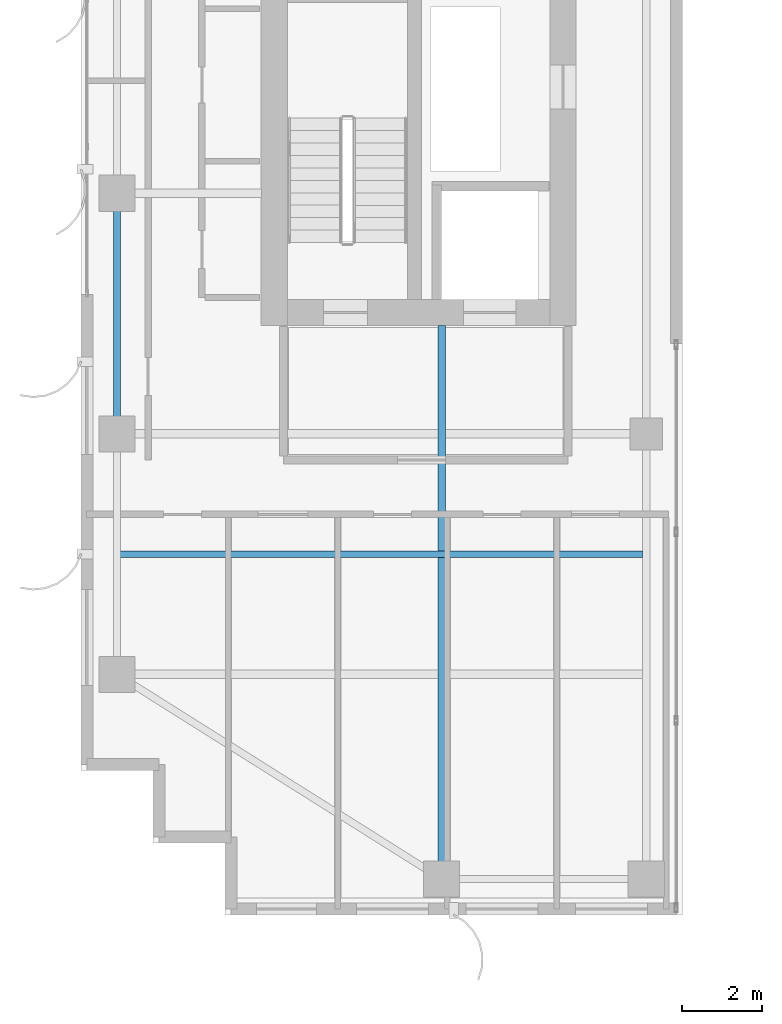
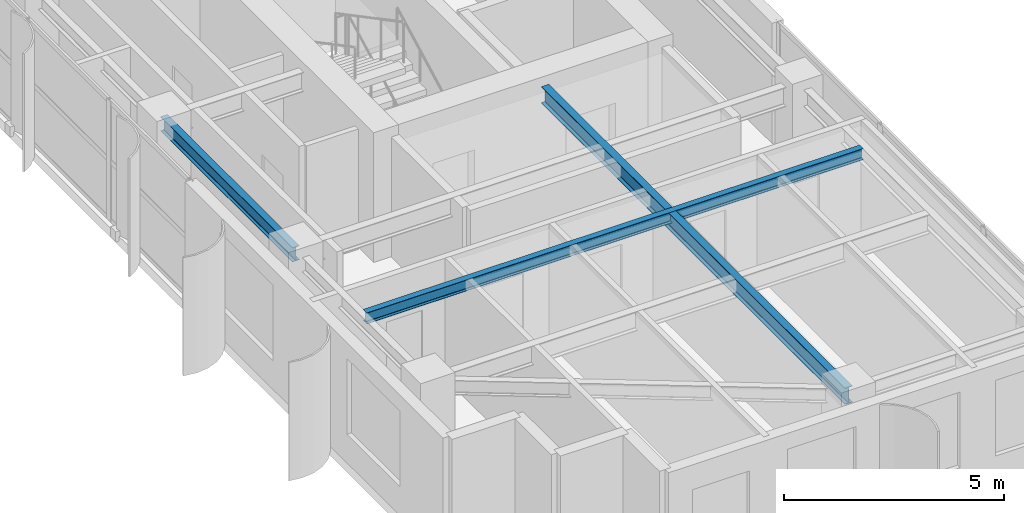
# One storey, part 3 of 22: 3 beams.
"""IFC4 building model written with IfcOpenShell, lengths in metres."""

from ifc_helpers import new_model, si_unit, direction, frame, origin, origin_2d, place, context, subcontext, project, spatial, i_section, extrude, source, transform, mapped, material, material_profile, profile_set, type_object, element, save


model = new_model("IFC4")

# Units and contexts
model_context = context("Model", 3, precision=1e-05, world=origin(), true_north=direction((0.0, 1.0)))
body_context = subcontext(model_context, "Body", "Model", "MODEL_VIEW")
ifc_project = project(units=[si_unit("LENGTHUNIT", "METRE"), si_unit("AREAUNIT", "SQUARE_METRE"), si_unit("VOLUMEUNIT", "CUBIC_METRE"), si_unit("PLANEANGLEUNIT", "RADIAN"), si_unit("MASSUNIT", "GRAM", prefix="KILO")], contexts=[model_context])

# Site, building, storey
site_placement = place(None, origin())
site = spatial("IfcSite", under=ifc_project, at=site_placement, CompositionType="ELEMENT")
building_placement = place(site_placement, origin())
building = spatial("IfcBuilding", under=site, at=building_placement, Name="Khoralis Quay Care Tower", CompositionType="ELEMENT")
storey_placement = place(building_placement, frame((0.0, 0.0, 195.300048828125)))
storey = spatial("IfcBuildingStorey", under=building, at=storey_placement, Name="L51", CompositionType="ELEMENT", Elevation=195.300048828125)

# Beams
ifc_material = material(Name="Steel S355", Category="steel")
ifc_material_profile_1 = material_profile(ifc_material, i_section(OverallWidth=0.179931640625, OverallDepth=0.39990234375, WebThickness=0.008544921875, FlangeThickness=0.013427734375, FilletRadius=0.02099609375, at=origin_2d()), Name="Steel S355")
ifc_profile_set_1 = profile_set([ifc_material_profile_1], Name="Steel S355")
beam_type_1 = type_object("IfcBeamType", Name="BM-IPE400", PredefinedType="SPANDREL", material=ifc_profile_set_1)
shared_shape_1 = source(origin(), body_context, "Body", "SweptSolid", [
    extrude(i_section(OverallWidth=0.179931640625, OverallDepth=0.39990234375, WebThickness=0.008544921875, FlangeThickness=0.013427734375, FilletRadius=0.02099609375, at=origin_2d()), origin(), (0.0, 0.0, 1.0), 6.0),
])
beam_1_placement = place(storey_placement, frame((3.89990234375, 12.0, 3.139892578125), z_axis=(0.0, 1.0, 0.0), x_axis=(-1.0, 0.0, 0.0)))
element("IfcBeam", 1, at=beam_1_placement, inside=storey, type_object=beam_type_1, Name="BM-TSP-L51-06", PredefinedType="SPANDREL", context=body_context, shape_type="MappedRepresentation", body=[
    mapped(shared_shape_1, transform((0.0, 0.0, 0.0), scale=1.0)),
])
ifc_material_profile_2 = material_profile(ifc_material, i_section(OverallWidth=0.19189453125, OverallDepth=0.462890625, WebThickness=0.010498046875, FlangeThickness=0.017578125, FilletRadius=0.014892578125, at=origin_2d()), Name="Steel S355")
ifc_profile_set_2 = profile_set([ifc_material_profile_2], Name="Steel S355")
beam_type_2 = type_object("IfcBeamType", Name="BM-W460X89", PredefinedType="BEAM", material=ifc_profile_set_2)
shared_shape_2 = source(origin(), body_context, "Body", "SweptSolid", [
    extrude(i_section(OverallWidth=0.19189453125, OverallDepth=0.462890625, WebThickness=0.010498046875, FlangeThickness=0.017578125, FilletRadius=0.014892578125, at=origin_2d()), origin(), (0.0, 0.0, 1.0), 13.802001953125),
])
beam_2_placement = place(storey_placement, frame((12.0, 0.89990234375, 3.1083984375), z_axis=(0.0, 1.0, 0.0), x_axis=(-1.0, 0.0, 0.0)))
element("IfcBeam", 2, at=beam_2_placement, inside=storey, type_object=beam_type_2, Name="BM-TGYS-L51-120", PredefinedType="BEAM", context=body_context, shape_type="MappedRepresentation", body=[
    mapped(shared_shape_2, transform((0.0, 0.0, 0.0), scale=1.0)),
])
ifc_material_profile_3 = material_profile(ifc_material, i_section(OverallWidth=0.1650390625, OverallDepth=0.31005859375, WebThickness=0.005859375, FlangeThickness=0.009765625, FilletRadius=0.011962890625, at=origin_2d()), Name="Steel S355")
ifc_profile_set_3 = profile_set([ifc_material_profile_3], Name="Steel S355")
beam_type_3 = type_object("IfcBeamType", Name="BM-W310X39", PredefinedType="JOIST", material=ifc_profile_set_3)
shared_shape_3 = source(origin(), body_context, "Body", "SweptSolid", [
    extrude(i_section(OverallWidth=0.1650390625, OverallDepth=0.31005859375, WebThickness=0.005859375, FlangeThickness=0.009765625, FilletRadius=0.011962890625, at=origin_2d()), origin(), (0.0, 0.0, 1.0), 13.0400390625),
])
beam_3_placement = place(storey_placement, frame((3.97607421875, 9.0, 3.18505859375), z_axis=(1.0, 0.0, 0.0), x_axis=(0.0, 1.0, 0.0)))
element("IfcBeam", 3, at=beam_3_placement, inside=storey, type_object=beam_type_3, Name="BM-TJS-L51-19", PredefinedType="JOIST", context=body_context, shape_type="MappedRepresentation", body=[
    mapped(shared_shape_3, transform((0.0, 0.0, 0.0), scale=1.0)),
])

save(model, "model.ifc")
